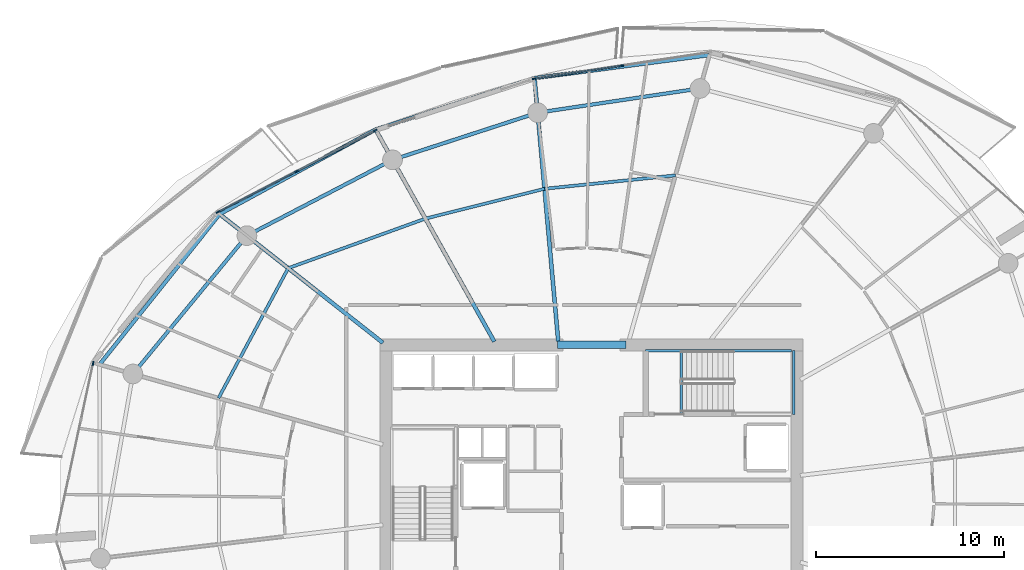
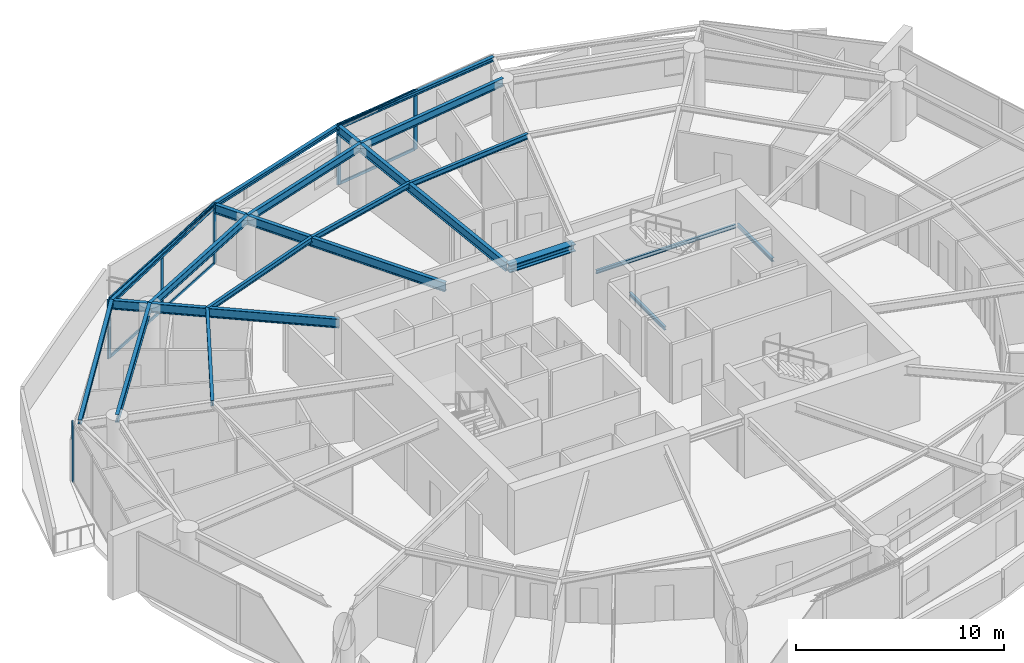
# One storey, part 8 of 20: 19 beams, 12 members, 3 elements without a shape of their own.
"""IFC4 building model written with IfcOpenShell, lengths in metres."""

from ifc_helpers import new_model, si_unit, direction, frame, origin, origin_2d, place, context, subcontext, project, spatial, rectangle, i_section, extrude, material, layer, layer_set, material_profile, profile_set, type_object, element, aggregate, save


model = new_model("IFC4")

# Units and contexts
model_context = context("Model", 3, precision=1e-05, world=origin(), true_north=direction((0.0, 1.0)))
body_context = subcontext(model_context, "Body", "Model", "MODEL_VIEW")
ifc_project = project(units=[si_unit("LENGTHUNIT", "METRE"), si_unit("AREAUNIT", "SQUARE_METRE"), si_unit("VOLUMEUNIT", "CUBIC_METRE"), si_unit("PLANEANGLEUNIT", "RADIAN"), si_unit("MASSUNIT", "GRAM", prefix="KILO")], contexts=[model_context])

# Site, building, storey
site_placement = place(None, origin())
site = spatial("IfcSite", under=ifc_project, at=site_placement, CompositionType="ELEMENT")
building_placement = place(site_placement, origin())
building = spatial("IfcBuilding", under=site, at=building_placement, Name="Kazma Halo Residences", CompositionType="ELEMENT")
storey_placement = place(building_placement, frame((0.0, 0.0, 202.800048828125)))
storey = spatial("IfcBuildingStorey", under=building, at=storey_placement, Name="L51", CompositionType="ELEMENT", Elevation=202.800048828125)

# Beams
ifc_material_1 = material(Name="Steel S355", Category="steel")
ifc_material_profile_1 = material_profile(ifc_material_1, i_section(OverallWidth=0.201904296875, OverallDepth=0.2470703125, WebThickness=0.00732421875, FlangeThickness=0.010986328125, FilletRadius=0.011962890625, at=origin_2d()), Name="W250x49.1")
ifc_profile_set_1 = profile_set([ifc_material_profile_1], Name="Steel S355")
beam_type_1 = type_object("IfcBeamType", Name="BM-BAL-CANT", PredefinedType="BEAM", material=ifc_profile_set_1)
beam_1_placement = place(storey_placement, frame((54.70458984375, 65.772216796875, 3.37646484375), z_axis=(-0.991401891123, -0.130852169558, 0.0), x_axis=(0.130852169558, -0.991401891123, 0.0)))
element("IfcBeam", 1, at=beam_1_placement, inside=storey, type_object=beam_type_1, Name="L51 wave-balcony tie beam 03", PredefinedType="BEAM", context=body_context, shape_type="SweptSolid", body=[
    extrude(i_section(OverallWidth=0.201904296875, OverallDepth=0.2470703125, WebThickness=0.00732421875, FlangeThickness=0.010986328125, FilletRadius=0.011962890625, at=origin_2d()), origin(), (0.0, 0.0, 1.0), 9.401611328125),
])
beam_2_placement = place(storey_placement, frame((45.3837890625, 64.5419921875, 3.37646484375), z_axis=(-0.951434599458, -0.307850942753, 0.0), x_axis=(0.307850942753, -0.951434599458, 0.0)))
element("IfcBeam", 2, at=beam_2_placement, inside=storey, type_object=beam_type_1, Name="L51 wave-balcony tie beam 04", PredefinedType="BEAM", context=body_context, shape_type="SweptSolid", body=[
    extrude(i_section(OverallWidth=0.201904296875, OverallDepth=0.2470703125, WebThickness=0.00732421875, FlangeThickness=0.010986328125, FilletRadius=0.011962890625, at=origin_2d()), origin(), (0.0, 0.0, 1.0), 8.905029296875),
])
beam_3_placement = place(storey_placement, frame((36.9111328125, 61.800537109375, 3.37646484375), z_axis=(-0.878890557257, -0.477023467309, 0.0), x_axis=(0.477023467309, -0.878890557257, 0.0)))
element("IfcBeam", 3, at=beam_3_placement, inside=storey, type_object=beam_type_1, Name="L51 wave-balcony tie beam 05", PredefinedType="BEAM", context=body_context, shape_type="SweptSolid", body=[
    extrude(i_section(OverallWidth=0.201904296875, OverallDepth=0.2470703125, WebThickness=0.00732421875, FlangeThickness=0.010986328125, FilletRadius=0.011962890625, at=origin_2d()), origin(), (0.0, 0.0, 1.0), 9.452880859375),
])
beam_4_placement = place(storey_placement, frame((28.60302734375, 57.291259765625, 3.37646484375), z_axis=(-0.624195724924, -0.781268005864, 0.0), x_axis=(0.781268005864, -0.624195724924, 0.0)))
element("IfcBeam", 4, at=beam_4_placement, inside=storey, type_object=beam_type_1, Name="L51 wave-balcony tie beam 06", PredefinedType="BEAM", context=body_context, shape_type="SweptSolid", body=[
    extrude(i_section(OverallWidth=0.201904296875, OverallDepth=0.2470703125, WebThickness=0.00732421875, FlangeThickness=0.010986328125, FilletRadius=0.011962890625, at=origin_2d()), origin(), (0.0, 0.0, 1.0), 10.258544921875),
])
ifc_material_profile_2 = material_profile(ifc_material_1, i_section(OverallWidth=0.408935546875, OverallDepth=0.425048828125, WebThickness=0.03271484375, FlangeThickness=0.052490234375, FilletRadius=0.02001953125, at=origin_2d()), Name="W360x421")
ifc_profile_set_2 = profile_set([ifc_material_profile_2], Name="Steel S355")
beam_type_2 = type_object("IfcBeamType", Name="BM-CORE-W360H", PredefinedType="BEAM", material=ifc_profile_set_2)
beam_5_placement = place(storey_placement, frame((46.60009765625, 50.324951171875, 3.287353515625), z_axis=(1.0, 0.0, 0.0), x_axis=(0.0, 1.0, 0.0)))
element("IfcBeam", 5, at=beam_5_placement, inside=storey, type_object=beam_type_2, Name="L51 core coupling beam N", PredefinedType="BEAM", context=body_context, shape_type="SweptSolid", body=[
    extrude(i_section(OverallWidth=0.408935546875, OverallDepth=0.425048828125, WebThickness=0.03271484375, FlangeThickness=0.052490234375, FilletRadius=0.02001953125, at=origin_2d()), origin(), (0.0, 0.0, 1.0), 3.64990234375),
])
ifc_material_profile_3 = material_profile(ifc_material_1, i_section(OverallWidth=0.208984375, OverallDepth=0.532958984375, WebThickness=0.01025390625, FlangeThickness=0.015625, FilletRadius=0.01611328125, at=origin_2d()), Name="W530x92")
ifc_profile_set_3 = profile_set([ifc_material_profile_3], Name="Steel S355")
beam_type_3 = type_object("IfcBeamType", Name="BM-RAD-W530", PredefinedType="BEAM", material=ifc_profile_set_3)
beam_6_placement = place(storey_placement, frame((46.64990234375, 50.5, 3.2333984375), z_axis=(-0.089801911205, 0.995959646142, 0.0), x_axis=(-0.995959646142, -0.089801911205, 0.0)))
element("IfcBeam", 6, at=beam_6_placement, inside=storey, type_object=beam_type_3, Name="L51 radial floor beam 04", PredefinedType="BEAM", context=body_context, shape_type="SweptSolid", body=[
    extrude(i_section(OverallWidth=0.208984375, OverallDepth=0.532958984375, WebThickness=0.01025390625, FlangeThickness=0.015625, FilletRadius=0.01611328125, at=origin_2d()), origin(), (0.0, 0.0, 1.0), 14.098876953125),
])
beam_7_placement = place(storey_placement, frame((43.23974609375, 50.5, 3.2333984375), z_axis=(-0.488621736368, 0.872495729931, 0.0), x_axis=(-0.872495729931, -0.488621736368, 0.0)))
element("IfcBeam", 7, at=beam_7_placement, inside=storey, type_object=beam_type_3, Name="L51 radial floor beam 05", PredefinedType="BEAM", context=body_context, shape_type="SweptSolid", body=[
    extrude(i_section(OverallWidth=0.208984375, OverallDepth=0.532958984375, WebThickness=0.01025390625, FlangeThickness=0.015625, FilletRadius=0.01611328125, at=origin_2d()), origin(), (0.0, 0.0, 1.0), 12.951904296875),
])
beam_8_placement = place(storey_placement, frame((37.300048828125, 50.435302734375, 3.2333984375), z_axis=(-0.785326671572, 0.619081593102, 0.0), x_axis=(-0.619081593102, -0.785326671572, 0.0)))
element("IfcBeam", 8, at=beam_8_placement, inside=storey, type_object=beam_type_3, Name="L51 radial floor beam 06", PredefinedType="BEAM", context=body_context, shape_type="SweptSolid", body=[
    extrude(i_section(OverallWidth=0.208984375, OverallDepth=0.532958984375, WebThickness=0.01025390625, FlangeThickness=0.015625, FilletRadius=0.01611328125, at=origin_2d()), origin(), (0.0, 0.0, 1.0), 11.074462890625),
])
ifc_material_profile_4 = material_profile(ifc_material_1, i_section(OverallWidth=0.1650390625, OverallDepth=0.31005859375, WebThickness=0.005859375, FlangeThickness=0.009765625, FilletRadius=0.011962890625, at=origin_2d()), Name="W310x38.7")
ifc_profile_set_4 = profile_set([ifc_material_profile_4], Name="Steel S355")
beam_type_4 = type_object("IfcBeamType", Name="BM-SEC-W310B", PredefinedType="JOIST", material=ifc_profile_set_4)
beam_9_placement = place(storey_placement, frame((52.8955078125, 59.35791015625, 3.344970703125), z_axis=(-0.994813898595, -0.101711883088, 0.0), x_axis=(0.101711883088, -0.994813898595, 0.0)))
element("IfcBeam", 9, at=beam_9_placement, inside=storey, type_object=beam_type_4, Name="L51 circumferential floor joist 03", PredefinedType="JOIST", context=body_context, shape_type="SweptSolid", body=[
    extrude(i_section(OverallWidth=0.1650390625, OverallDepth=0.31005859375, WebThickness=0.005859375, FlangeThickness=0.009765625, FilletRadius=0.011962890625, at=origin_2d()), origin(), (0.0, 0.0, 1.0), 7.01611328125),
])
beam_10_placement = place(storey_placement, frame((45.915771484375, 58.644287109375, 3.344970703125), z_axis=(-0.970019458253, -0.243027263102, 0.0), x_axis=(0.243027263102, -0.970019458253, 0.0)))
element("IfcBeam", 10, at=beam_10_placement, inside=storey, type_object=beam_type_4, Name="L51 circumferential floor joist 04", PredefinedType="JOIST", context=body_context, shape_type="SweptSolid", body=[
    extrude(i_section(OverallWidth=0.1650390625, OverallDepth=0.31005859375, WebThickness=0.005859375, FlangeThickness=0.009765625, FilletRadius=0.011962890625, at=origin_2d()), origin(), (0.0, 0.0, 1.0), 6.542724609375),
])
beam_11_placement = place(storey_placement, frame((39.569091796875, 57.05419921875, 3.344970703125), z_axis=(-0.940484507564, -0.339836565177, 0.0), x_axis=(0.339836565177, -0.940484507564, 0.0)))
element("IfcBeam", 11, at=beam_11_placement, inside=storey, type_object=beam_type_4, Name="L51 circumferential floor joist 05", PredefinedType="JOIST", context=body_context, shape_type="SweptSolid", body=[
    extrude(i_section(OverallWidth=0.1650390625, OverallDepth=0.31005859375, WebThickness=0.005859375, FlangeThickness=0.009765625, FilletRadius=0.011962890625, at=origin_2d()), origin(), (0.0, 0.0, 1.0), 7.776123046875),
])
beam_12_placement = place(storey_placement, frame((32.255859375, 54.41162109375, 3.344970703125), z_axis=(-0.472683532566, -0.881232249774, 0.0), x_axis=(0.881232249774, -0.472683532566, 0.0)))
element("IfcBeam", 12, at=beam_12_placement, inside=storey, type_object=beam_type_4, Name="L51 circumferential floor joist 06", PredefinedType="JOIST", context=body_context, shape_type="SweptSolid", body=[
    extrude(i_section(OverallWidth=0.1650390625, OverallDepth=0.31005859375, WebThickness=0.005859375, FlangeThickness=0.009765625, FilletRadius=0.011962890625, at=origin_2d()), origin(), (0.0, 0.0, 1.0), 7.85693359375),
])
ifc_material_profile_5 = material_profile(ifc_material_1, i_section(OverallWidth=0.18994140625, OverallDepth=0.45703125, WebThickness=0.009033203125, FlangeThickness=0.014404296875, FilletRadius=0.01611328125, at=origin_2d()), Name="W460x74")
ifc_profile_set_5 = profile_set([ifc_material_profile_5], Name="Steel S355")
beam_type_5 = type_object("IfcBeamType", Name="BM-SPN-W460", PredefinedType="BEAM", material=ifc_profile_set_5)
beam_13_placement = place(storey_placement, frame((54.202392578125, 63.99169921875, 3.271484375), z_axis=(-0.98903439143, -0.147685383732, 0.0), x_axis=(0.147685383732, -0.98903439143, 0.0)))
element("IfcBeam", 13, at=beam_13_placement, inside=storey, type_object=beam_type_5, Name="L51 perimeter ring beam 03", PredefinedType="BEAM", context=body_context, shape_type="SweptSolid", body=[
    extrude(i_section(OverallWidth=0.18994140625, OverallDepth=0.45703125, WebThickness=0.009033203125, FlangeThickness=0.014404296875, FilletRadius=0.01611328125, at=origin_2d()), origin(), (0.0, 0.0, 1.0), 8.748291015625),
])
beam_14_placement = place(storey_placement, frame((45.550048828125, 62.69970703125, 3.271484375), z_axis=(-0.951048627281, -0.30904127321, 0.0), x_axis=(0.30904127321, -0.951048627281, 0.0)))
element("IfcBeam", 14, at=beam_14_placement, inside=storey, type_object=beam_type_5, Name="L51 perimeter ring beam 04", PredefinedType="BEAM", context=body_context, shape_type="SweptSolid", body=[
    extrude(i_section(OverallWidth=0.18994140625, OverallDepth=0.45703125, WebThickness=0.009033203125, FlangeThickness=0.014404296875, FilletRadius=0.01611328125, at=origin_2d()), origin(), (0.0, 0.0, 1.0), 8.133056640625),
])
beam_15_placement = place(storey_placement, frame((37.815185546875, 60.186279296875, 3.271484375), z_axis=(-0.886961243394, -0.461843861838, 0.0), x_axis=(0.461843861838, -0.886961243394, 0.0)))
element("IfcBeam", 15, at=beam_15_placement, inside=storey, type_object=beam_type_5, Name="L51 perimeter ring beam 05", PredefinedType="BEAM", context=body_context, shape_type="SweptSolid", body=[
    extrude(i_section(OverallWidth=0.18994140625, OverallDepth=0.45703125, WebThickness=0.009033203125, FlangeThickness=0.014404296875, FilletRadius=0.01611328125, at=origin_2d()), origin(), (0.0, 0.0, 1.0), 8.748046875),
])
beam_16_placement = place(storey_placement, frame((30.055908203125, 56.14599609375, 3.271484375), z_axis=(-0.63601715545, -0.771674917289, 0.0), x_axis=(0.771674917289, -0.63601715545, 0.0)))
element("IfcBeam", 16, at=beam_16_placement, inside=storey, type_object=beam_type_5, Name="L51 perimeter ring beam 06", PredefinedType="BEAM", context=body_context, shape_type="SweptSolid", body=[
    extrude(i_section(OverallWidth=0.18994140625, OverallDepth=0.45703125, WebThickness=0.009033203125, FlangeThickness=0.014404296875, FilletRadius=0.01611328125, at=origin_2d()), origin(), (0.0, 0.0, 1.0), 9.552734375),
])
ifc_material_profile_6 = material_profile(ifc_material_1, i_section(OverallWidth=0.133056640625, OverallDepth=0.20703125, WebThickness=0.005859375, FlangeThickness=0.00830078125, FilletRadius=0.010009765625, at=origin_2d()), Name="W200x26.6")
ifc_profile_set_6 = profile_set([ifc_material_profile_6], Name="Steel S355")
beam_type_6 = type_object("IfcBeamType", Name="BM-TRIM-W200", PredefinedType="BEAM", material=ifc_profile_set_6)
beam_17_placement = place(storey_placement, frame((53.199951171875, 46.6201171875, -0.360107421875), z_axis=(0.0, 1.0, 0.0), x_axis=(-1.0, 0.0, 0.0)))
element("IfcBeam", 17, at=beam_17_placement, inside=storey, type_object=beam_type_6, Name="L51 ST-02 floor landing support beam", PredefinedType="BEAM", context=body_context, shape_type="SweptSolid", body=[
    extrude(i_section(OverallWidth=0.133056640625, OverallDepth=0.20703125, WebThickness=0.005859375, FlangeThickness=0.00830078125, FilletRadius=0.010009765625, at=origin_2d()), origin(), (0.0, 0.0, 1.0), 3.3798828125),
])
beam_18_placement = place(storey_placement, frame((51.31005859375, 50.02001953125, 1.570068359375), z_axis=(1.0, 0.0, 0.0), x_axis=(0.0, 1.0, 0.0)))
element("IfcBeam", 18, at=beam_18_placement, inside=storey, type_object=beam_type_6, Name="L51 ST-02 landing north wall ledger", PredefinedType="BEAM", context=body_context, shape_type="SweptSolid", body=[
    extrude(i_section(OverallWidth=0.133056640625, OverallDepth=0.20703125, WebThickness=0.005859375, FlangeThickness=0.00830078125, FilletRadius=0.010009765625, at=origin_2d()), origin(), (0.0, 0.0, 1.0), 7.760009765625),
])
beam_19_placement = place(storey_placement, frame((59.18994140625, 46.6201171875, 1.570068359375), z_axis=(0.0, 1.0, 0.0), x_axis=(-1.0, 0.0, 0.0)))
element("IfcBeam", 19, at=beam_19_placement, inside=storey, type_object=beam_type_6, Name="L51 ST-02 landing end wall ledger", PredefinedType="BEAM", context=body_context, shape_type="SweptSolid", body=[
    extrude(i_section(OverallWidth=0.133056640625, OverallDepth=0.20703125, WebThickness=0.005859375, FlangeThickness=0.00830078125, FilletRadius=0.010009765625, at=origin_2d()), origin(), (0.0, 0.0, 1.0), 3.39990234375),
])

# Curtain wall, members
ifc_material_2 = material(Name="Aluminium AW-6063 T6 and Triple-Silver Low-E Glass", Category="aluminium")
ifc_layer = layer(ifc_material_2, 0.219970703125)
ifc_layer_set = layer_set([ifc_layer], Name="Aluminium AW-6063 T6 and Triple-Silver Low-E Glass")
curtain_wall_type = type_object("IfcCurtainWallType", Name="CW-SYS-4", PredefinedType="NOTDEFINED", material=ifc_layer_set)
curtain_wall_1_placement = place(storey_placement, origin())
curtain_wall_1 = element("IfcCurtainWall", 20, at=curtain_wall_1_placement, inside=storey, type_object=curtain_wall_type, Name="L51 unitised curtain wall B03", PredefinedType="NOTDEFINED")
ifc_material_3 = material(Name="Aluminium AW-6063 T6", Category="aluminium")
ifc_material_profile_7 = material_profile(ifc_material_3, rectangle(XDim=0.074951171875, YDim=0.219970703125, at=origin_2d()), Name="CWM-75x220")
ifc_profile_set_7 = profile_set([ifc_material_profile_7], Name="Aluminium AW-6063 T6")
member_type_1 = type_object("IfcMemberType", Name="CW-SYS-4-MUL", PredefinedType="MULLION", material=ifc_profile_set_7)
member_1_placement = place(storey_placement, frame((50.041259765625, 65.211181640625, 0.0), z_axis=(0.0, 0.0, 1.0), x_axis=(0.148772639188, -0.988871428361, 0.0)))
member_1 = element("IfcMember", 21, at=member_1_placement, type_object=member_type_1, Name="CWS-4 mullion 2", PredefinedType="MULLION", context=body_context, shape_type="SweptSolid", body=[
    extrude(rectangle(XDim=0.074951171875, YDim=0.219970703125, at=origin_2d()), origin(), (0.0, 0.0, 1.0), 3.5),
])
member_2_placement = place(storey_placement, frame((45.373779296875, 64.509033203125, 0.0), z_axis=(0.0, 0.0, 1.0), x_axis=(0.148772639188, -0.988871428361, 0.0)))
member_2 = element("IfcMember", 22, at=member_2_placement, type_object=member_type_1, Name="CWS-4 mullion 3", PredefinedType="MULLION", context=body_context, shape_type="SweptSolid", body=[
    extrude(rectangle(XDim=0.074951171875, YDim=0.219970703125, at=origin_2d()), origin(), (0.0, 0.0, 1.0), 3.5),
])

curtain_wall_2_placement = place(storey_placement, origin())
curtain_wall_2 = element("IfcCurtainWall", 23, at=curtain_wall_2_placement, inside=storey, type_object=curtain_wall_type, Name="L51 unitised curtain wall B05", PredefinedType="NOTDEFINED")
member_3_placement = place(storey_placement, frame((36.894287109375, 61.75390625, 0.0), z_axis=(0.0, 0.0, 1.0), x_axis=(0.460873851097, -0.887465657575, 0.0)))
member_3 = element("IfcMember", 24, at=member_3_placement, type_object=member_type_1, Name="CWS-4 mullion 1", PredefinedType="MULLION", context=body_context, shape_type="SweptSolid", body=[
    extrude(rectangle(XDim=0.074951171875, YDim=0.219970703125, at=origin_2d()), origin(), (0.0, 0.0, 1.0), 3.5),
])
member_4_placement = place(storey_placement, frame((32.705322265625, 59.578369140625, 0.0), z_axis=(0.0, 0.0, 1.0), x_axis=(0.460873851097, -0.887465657575, 0.0)))
member_4 = element("IfcMember", 25, at=member_4_placement, type_object=member_type_1, Name="CWS-4 mullion 2", PredefinedType="MULLION", context=body_context, shape_type="SweptSolid", body=[
    extrude(rectangle(XDim=0.074951171875, YDim=0.219970703125, at=origin_2d()), origin(), (0.0, 0.0, 1.0), 3.5),
])
member_5_placement = place(storey_placement, frame((28.5166015625, 57.403076171875, 0.0), z_axis=(0.0, 0.0, 1.0), x_axis=(0.460873851097, -0.887465657575, 0.0)))
member_5 = element("IfcMember", 26, at=member_5_placement, type_object=member_type_1, Name="CWS-4 mullion 3", PredefinedType="MULLION", context=body_context, shape_type="SweptSolid", body=[
    extrude(rectangle(XDim=0.074951171875, YDim=0.219970703125, at=origin_2d()), origin(), (0.0, 0.0, 1.0), 3.5),
])

# Curtain wall, member
curtain_wall_3_placement = place(storey_placement, origin())
curtain_wall_3 = element("IfcCurtainWall", 27, at=curtain_wall_3_placement, inside=storey, type_object=curtain_wall_type, Name="L51 unitised curtain wall B07", PredefinedType="NOTDEFINED")
member_6_placement = place(storey_placement, frame((21.8564453125, 49.334228515625, 0.0), z_axis=(0.0, 0.0, 1.0), x_axis=(0.977768017212, -0.209689543175, 0.0)))
member_6 = element("IfcMember", 28, at=member_6_placement, type_object=member_type_1, Name="CWS-4 mullion 1", PredefinedType="MULLION", context=body_context, shape_type="SweptSolid", body=[
    extrude(rectangle(XDim=0.074951171875, YDim=0.219970703125, at=origin_2d()), origin(), (0.0, 0.0, 1.0), 3.5),
])
aggregate(curtain_wall_3, [member_6])

# Member
ifc_material_profile_8 = material_profile(ifc_material_3, rectangle(XDim=0.074951171875, YDim=0.1650390625, at=origin_2d()), Name="CWT-75x165")
ifc_profile_set_8 = profile_set([ifc_material_profile_8], Name="Aluminium AW-6063 T6")
member_type_2 = type_object("IfcMemberType", Name="CW-SYS-4-TRN", PredefinedType="USERDEFINED", material=ifc_profile_set_8)
member_7_placement = place(storey_placement, frame((50.004150390625, 65.20556640625, 0.037353515625), z_axis=(-0.988876518566, -0.148738801357, 0.0), x_axis=(0.148738801357, -0.988876518566, 0.0)))
member_7 = element("IfcMember", 29, at=member_7_placement, type_object=member_type_2, Name="CWS-4 transom 2.1", ObjectType="TRANSOM", PredefinedType="USERDEFINED", context=body_context, shape_type="SweptSolid", body=[
    extrude(rectangle(XDim=0.074951171875, YDim=0.1650390625, at=origin_2d()), origin(), (0.0, 0.0, 1.0), 4.645263671875),
])

member_8_placement = place(storey_placement, frame((50.004150390625, 65.20556640625, 3.46240234375), z_axis=(-0.988876518566, -0.148738801357, 0.0), x_axis=(0.148738801357, -0.988876518566, 0.0)))
member_8 = element("IfcMember", 30, at=member_8_placement, type_object=member_type_2, Name="CWS-4 transom 2.2", ObjectType="TRANSOM", PredefinedType="USERDEFINED", context=body_context, shape_type="SweptSolid", body=[
    extrude(rectangle(XDim=0.074951171875, YDim=0.1650390625, at=origin_2d()), origin(), (0.0, 0.0, 1.0), 4.645263671875),
])

aggregate(curtain_wall_1, [member_1, member_2, member_7, member_8])

member_9_placement = place(storey_placement, frame((36.861083984375, 61.736572265625, 0.037353515625), z_axis=(-0.887457630519, -0.460889307789, 0.0), x_axis=(0.460889307789, -0.887457630519, 0.0)))
member_9 = element("IfcMember", 31, at=member_9_placement, type_object=member_type_2, Name="CWS-4 transom 1.1", ObjectType="TRANSOM", PredefinedType="USERDEFINED", context=body_context, shape_type="SweptSolid", body=[
    extrude(rectangle(XDim=0.074951171875, YDim=0.1650390625, at=origin_2d()), origin(), (0.0, 0.0, 1.0), 4.64501953125),
])

member_10_placement = place(storey_placement, frame((36.861083984375, 61.736572265625, 3.46240234375), z_axis=(-0.887457630519, -0.460889307789, 0.0), x_axis=(0.460889307789, -0.887457630519, 0.0)))
member_10 = element("IfcMember", 32, at=member_10_placement, type_object=member_type_2, Name="CWS-4 transom 1.2", ObjectType="TRANSOM", PredefinedType="USERDEFINED", context=body_context, shape_type="SweptSolid", body=[
    extrude(rectangle(XDim=0.074951171875, YDim=0.1650390625, at=origin_2d()), origin(), (0.0, 0.0, 1.0), 4.64501953125),
])

member_11_placement = place(storey_placement, frame((32.672119140625, 59.561279296875, 0.037353515625), z_axis=(-0.887457630519, -0.460889307789, 0.0), x_axis=(0.460889307789, -0.887457630519, 0.0)))
member_11 = element("IfcMember", 33, at=member_11_placement, type_object=member_type_2, Name="CWS-4 transom 2.1", ObjectType="TRANSOM", PredefinedType="USERDEFINED", context=body_context, shape_type="SweptSolid", body=[
    extrude(rectangle(XDim=0.074951171875, YDim=0.1650390625, at=origin_2d()), origin(), (0.0, 0.0, 1.0), 4.64501953125),
])

member_12_placement = place(storey_placement, frame((32.672119140625, 59.561279296875, 3.46240234375), z_axis=(-0.887457630519, -0.460889307789, 0.0), x_axis=(0.460889307789, -0.887457630519, 0.0)))
member_12 = element("IfcMember", 34, at=member_12_placement, type_object=member_type_2, Name="CWS-4 transom 2.2", ObjectType="TRANSOM", PredefinedType="USERDEFINED", context=body_context, shape_type="SweptSolid", body=[
    extrude(rectangle(XDim=0.074951171875, YDim=0.1650390625, at=origin_2d()), origin(), (0.0, 0.0, 1.0), 4.64501953125),
])

aggregate(curtain_wall_2, [member_3, member_4, member_5, member_9, member_10, member_11, member_12])

save(model, "model.ifc")
